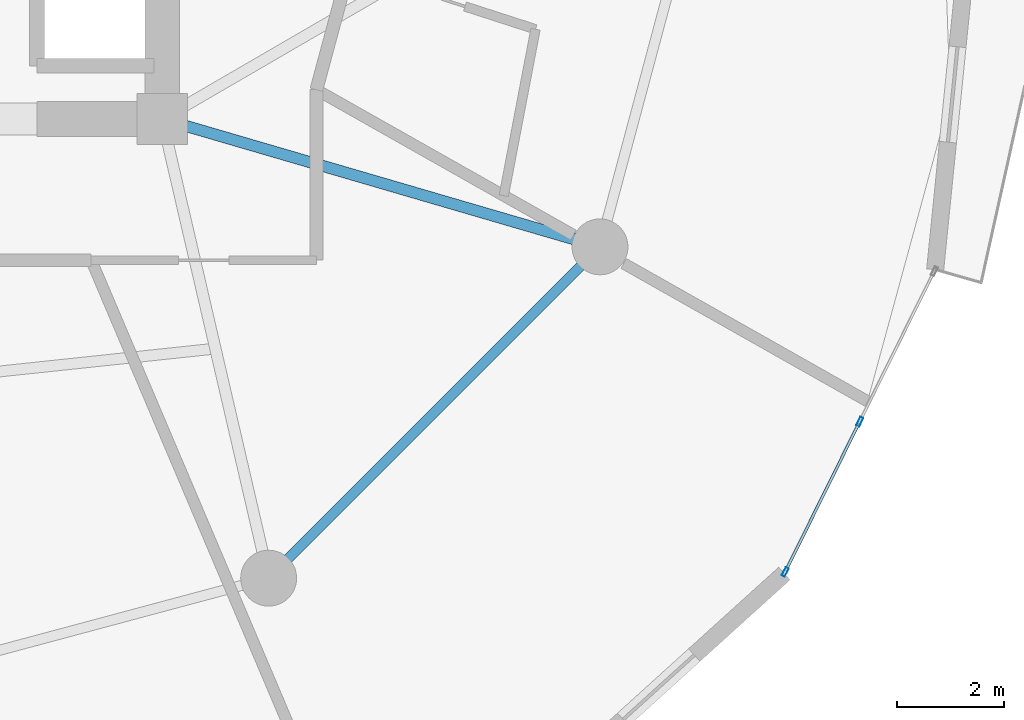
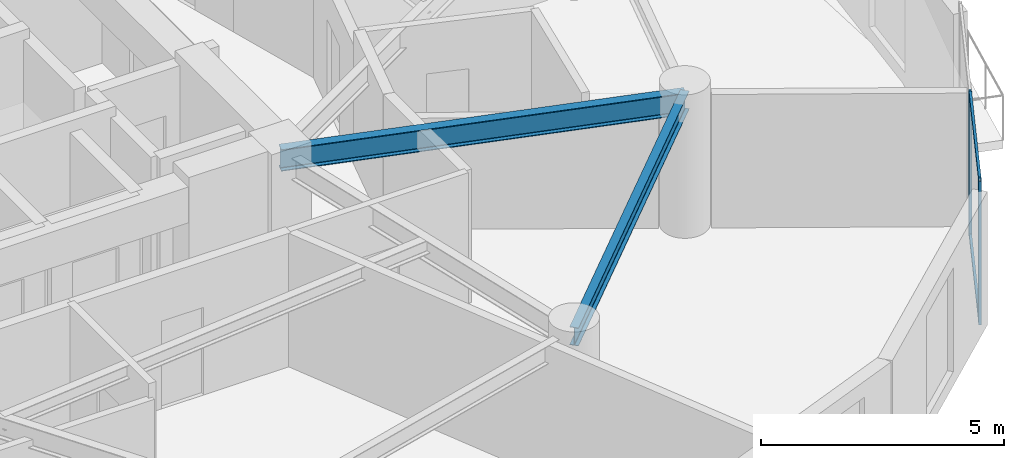
# One storey, part 10 of 25: 4 members, 2 beams, 1 element without a shape of its own.
"""IFC4 building model written with IfcOpenShell, lengths in metres."""

from ifc_helpers import new_model, si_unit, direction, frame, origin, origin_2d, place, context, subcontext, project, spatial, hollow_rectangle, i_section, extrude, source, transform, mapped, material, layer, layer_set, material_profile, profile_set, type_object, element, aggregate, save


model = new_model("IFC4")

# Units and contexts
model_context = context("Model", 3, precision=1e-05, world=origin(), true_north=direction((0.0, 1.0)))
body_context = subcontext(model_context, "Body", "Model", "MODEL_VIEW")
ifc_project = project(units=[si_unit("LENGTHUNIT", "METRE"), si_unit("AREAUNIT", "SQUARE_METRE"), si_unit("VOLUMEUNIT", "CUBIC_METRE"), si_unit("PLANEANGLEUNIT", "RADIAN"), si_unit("MASSUNIT", "GRAM", prefix="KILO")], contexts=[model_context])

# Site, building, storey
site_placement = place(None, origin())
site = spatial("IfcSite", under=ifc_project, at=site_placement, CompositionType="ELEMENT")
building_placement = place(site_placement, origin())
building = spatial("IfcBuilding", under=site, at=building_placement, Name="Solvirekh Grand Hotel", CompositionType="ELEMENT")
storey_placement = place(building_placement, frame((0.0, 0.0, 124.199951171875)))
storey = spatial("IfcBuildingStorey", under=building, at=storey_placement, Name="L31", CompositionType="ELEMENT", Elevation=124.199951171875)

# Beams
ifc_material_1 = material(Name="Steel S355", Category="steel")
ifc_material_profile_1 = material_profile(ifc_material_1, i_section(OverallWidth=0.2119140625, OverallDepth=0.5439453125, WebThickness=0.011962890625, FlangeThickness=0.01904296875, FilletRadius=0.013916015625, at=origin_2d()), Name="W530X123")
ifc_profile_set_1 = profile_set([ifc_material_profile_1], Name="Steel S355")
beam_type_1 = type_object("IfcBeamType", Name="Beam_Radial_W530H", PredefinedType="BEAM", material=ifc_profile_set_1)
beam_1_placement = place(storey_placement, frame((6.5, -6.10009765625, 3.078125), z_axis=(0.959942195467, -0.28019811092, 0.0), x_axis=(0.28019811092, 0.959942195467, 0.0)))
element("IfcBeam", 1, at=beam_1_placement, inside=storey, type_object=beam_type_1, Name="L31 radial floor beam R12", PredefinedType="BEAM", context=body_context, shape_type="SweptSolid", body=[
    extrude(i_section(OverallWidth=0.2119140625, OverallDepth=0.5439453125, WebThickness=0.011962890625, FlangeThickness=0.01904296875, FilletRadius=0.013916015625, at=origin_2d()), origin(), (0.0, 0.0, 1.0), 8.56494140625),
])
ifc_material_profile_2 = material_profile(ifc_material_1, i_section(OverallWidth=0.18994140625, OverallDepth=0.45703125, WebThickness=0.009033203125, FlangeThickness=0.013916015625, FilletRadius=0.012939453125, at=origin_2d()), Name="W460X74")
ifc_profile_set_2 = profile_set([ifc_material_profile_2], Name="Steel S355")
beam_type_2 = type_object("IfcBeamType", Name="Spandrel_Ring_W460", PredefinedType="SPANDREL", material=ifc_profile_set_2)
beam_2_placement = place(storey_placement, frame((8.5, -14.721923828125, 3.1220703125), z_axis=(0.707106781187, 0.707106781187, 0.0), x_axis=(-0.707106781187, 0.707106781187, 0.0)))
element("IfcBeam", 2, at=beam_2_placement, inside=storey, type_object=beam_type_2, Name="L31 perimeter spandrel beam 11", PredefinedType="SPANDREL", context=body_context, shape_type="SweptSolid", body=[
    extrude(i_section(OverallWidth=0.18994140625, OverallDepth=0.45703125, WebThickness=0.009033203125, FlangeThickness=0.013916015625, FilletRadius=0.012939453125, at=origin_2d()), origin(), (0.0, 0.0, 1.0), 8.799072265625),
])

# Curtain wall, members
ifc_material_2 = material(Name="Anodized Bronze Aluminium 6063-T6", Category="aluminium")
ifc_layer = layer(ifc_material_2, 0.175048828125)
ifc_layer_set = layer_set([ifc_layer], Name="Anodized Bronze Aluminium 6063-T6")
curtain_wall_type = type_object("IfcCurtainWallType", Name="CW_Sys3_MidZoneFlushBronzeCW", PredefinedType="NOTDEFINED", material=ifc_layer_set)
curtain_wall_placement = place(storey_placement, origin())
curtain_wall = element("IfcCurtainWall", 3, at=curtain_wall_placement, inside=storey, type_object=curtain_wall_type, Name="L31 unitised bronze-glass curtain wall CW-L31-C01", PredefinedType="NOTDEFINED")
ifc_material_profile_3 = material_profile(ifc_material_2, hollow_rectangle(XDim=0.054931640625, YDim=0.1201171875, WallThickness=0.00390625, at=origin_2d()), Name="ALU RHS 120X55X4")
ifc_profile_set_3 = profile_set([ifc_material_profile_3], Name="Anodized Bronze Aluminium 6063-T6")
member_type_1 = type_object("IfcMemberType", Name="CWTransom_Sys3", PredefinedType="USERDEFINED", material=ifc_profile_set_3)
shared_shape_1 = source(origin(), body_context, "Body", "SweptSolid", [
    extrude(hollow_rectangle(XDim=0.054931640625, YDim=0.1201171875, WallThickness=0.00390625, at=origin_2d()), origin(), (0.0, 0.0, 1.0), 3.087158203125),
])
member_1_placement = place(storey_placement, frame((18.21484375, -14.57666015625, 0.027587890625), z_axis=(0.444364361334, 0.895846144366, 0.0), x_axis=(-0.895846144366, 0.444364361334, 0.0)))
member_1 = element("IfcMember", 4, at=member_1_placement, type_object=member_type_1, Name="U03 transom 1.1", ObjectType="TRANSOM", PredefinedType="USERDEFINED", context=body_context, shape_type="MappedRepresentation", body=[
    mapped(shared_shape_1, transform((0.0, 0.0, 0.0), x_axis=(1.0, 0.0, 0.0), y_axis=(0.0, 1.0, 0.0), z_axis=(0.0, 0.0, 1.0), scale=1.0)),
])
member_2_placement = place(storey_placement, frame((18.21484375, -14.57666015625, 3.572509765625), z_axis=(0.444364361334, 0.895846144366, 0.0), x_axis=(-0.895846144366, 0.444364361334, 0.0)))
member_2 = element("IfcMember", 5, at=member_2_placement, type_object=member_type_1, Name="U03 transom 1.2", ObjectType="TRANSOM", PredefinedType="USERDEFINED", context=body_context, shape_type="MappedRepresentation", body=[
    mapped(shared_shape_1, transform((0.0, 0.0, 0.0), x_axis=(1.0, 0.0, 0.0), y_axis=(0.0, 1.0, 0.0), z_axis=(0.0, 0.0, 1.0), scale=1.0)),
])
ifc_material_profile_4 = material_profile(ifc_material_2, hollow_rectangle(XDim=0.06494140625, YDim=0.175048828125, WallThickness=0.0048828125, at=origin_2d()), Name="ALU RHS 175X65X5")
ifc_profile_set_4 = profile_set([ifc_material_profile_4], Name="Anodized Bronze Aluminium 6063-T6")
member_type_2 = type_object("IfcMemberType", Name="CWMullion_Sys3", PredefinedType="MULLION", material=ifc_profile_set_4)
shared_shape_2 = source(origin(), body_context, "Body", "SweptSolid", [
    extrude(hollow_rectangle(XDim=0.06494140625, YDim=0.175048828125, WallThickness=0.0048828125, at=origin_2d()), origin(), (0.0, 0.0, 1.0), 3.60009765625),
])
member_3_placement = place(storey_placement, frame((18.200439453125, -14.60595703125, 0.0), z_axis=(0.0, 0.0, 1.0), x_axis=(-0.895866965892, 0.444322382313, 0.0)))
member_3 = element("IfcMember", 6, at=member_3_placement, type_object=member_type_2, Name="U03 mullion 1", PredefinedType="MULLION", context=body_context, shape_type="MappedRepresentation", body=[
    mapped(shared_shape_2, transform((0.0, 0.0, 0.0), x_axis=(1.0, 0.0, 0.0), y_axis=(0.0, 1.0, 0.0), z_axis=(0.0, 0.0, 1.0), scale=1.0)),
])
member_4_placement = place(storey_placement, frame((19.60107421875, -11.781982421875, 0.0), z_axis=(0.0, 0.0, 1.0), x_axis=(-0.895866965892, 0.444322382313, 0.0)))
member_4 = element("IfcMember", 7, at=member_4_placement, type_object=member_type_2, Name="U03 mullion 2", PredefinedType="MULLION", context=body_context, shape_type="MappedRepresentation", body=[
    mapped(shared_shape_2, transform((0.0, 0.0, 0.0), x_axis=(1.0, 0.0, 0.0), y_axis=(0.0, 1.0, 0.0), z_axis=(0.0, 0.0, 1.0), scale=1.0)),
])
aggregate(curtain_wall, [member_3, member_4, member_1, member_2])

save(model, "model.ifc")
